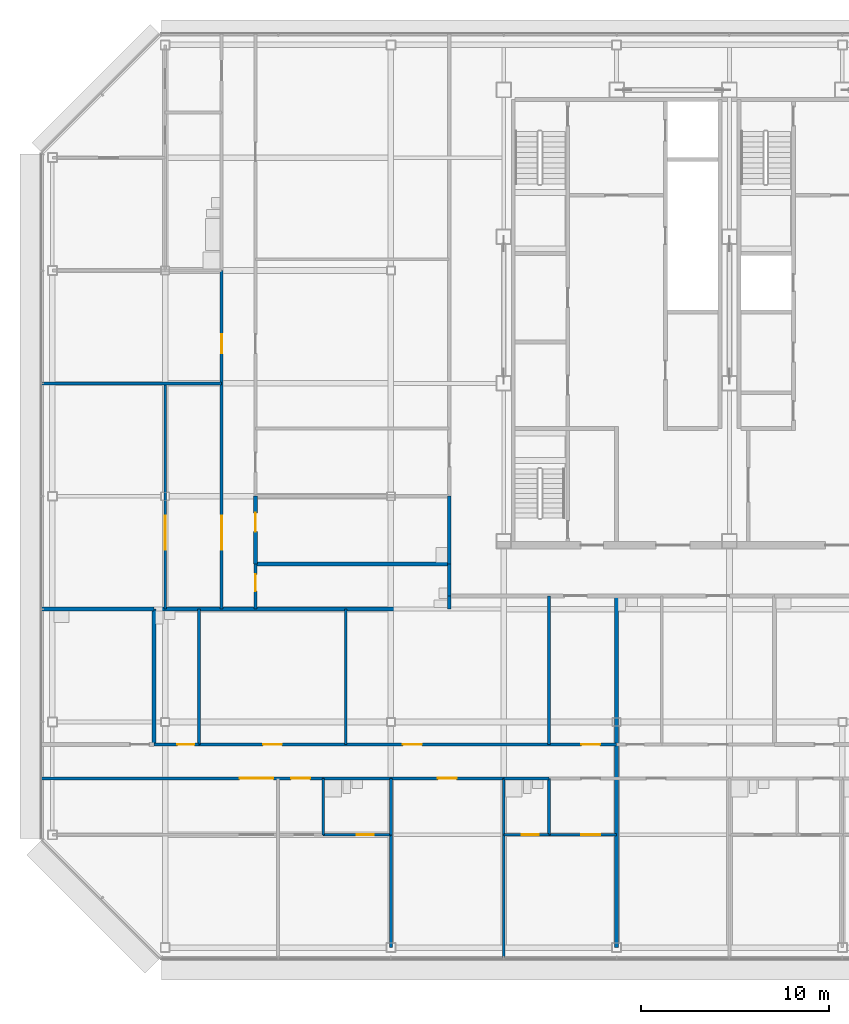
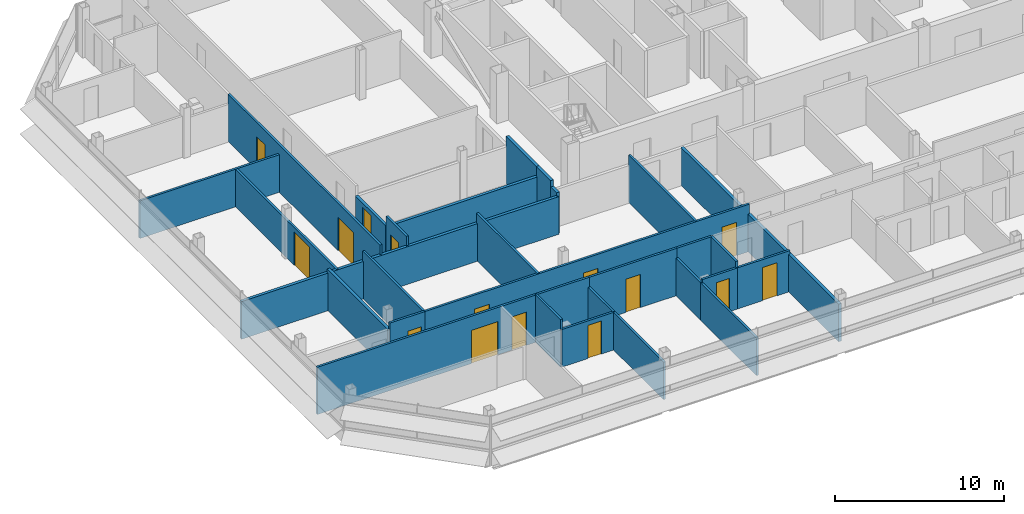
# One storey, part 21 of 28: 31 walls, 15 doors, 15 openings.
"""IFC4 building model written with IfcOpenShell, lengths in metres."""

from ifc_helpers import new_model, si_unit, direction, frame, frame_2d, origin, place, context, subcontext, project, spatial, rectangle, extrude, material, layer, layer_set, type_object, element, fill, save


model = new_model("IFC4")

# Units and contexts
model_context = context("Model", 3, precision=1e-05, world=origin(), true_north=direction((0.0, 1.0)))
body_context = subcontext(model_context, "Body", "Model", "MODEL_VIEW")
ifc_project = project(units=[si_unit("LENGTHUNIT", "METRE"), si_unit("AREAUNIT", "SQUARE_METRE"), si_unit("VOLUMEUNIT", "CUBIC_METRE"), si_unit("PLANEANGLEUNIT", "RADIAN"), si_unit("MASSUNIT", "GRAM", prefix="KILO")], contexts=[model_context])

# Site, building, storey
site_placement = place(None, origin())
site = spatial("IfcSite", under=ifc_project, at=site_placement, CompositionType="ELEMENT")
building_placement = place(site_placement, origin())
building = spatial("IfcBuilding", under=site, at=building_placement, Name="Sorahane Residences", CompositionType="ELEMENT")
storey_placement = place(building_placement, frame((0.0, 0.0, 305.199951171875)))
storey = spatial("IfcBuildingStorey", under=building, at=storey_placement, Name="L72", CompositionType="ELEMENT", Elevation=305.199951171875)

# Walls
ifc_material_1 = material(Name="Concrete blockwork C20 wall", Category="masonry")
ifc_layer_1 = layer(ifc_material_1, 0.199951171875)
ifc_layer_set_1 = layer_set([ifc_layer_1], Name="Corridor wall 200 EI 120")
wall_type_1 = type_object("IfcWallType", Name="Corridor wall 200 EI 120", PredefinedType="SOLIDWALL", material=ifc_layer_set_1)
wall_1_placement = place(storey_placement, frame((3.10009765625, 18.699951171875, 0.0), z_axis=(0.0, 0.0, 1.0), x_axis=(0.0, 1.0, 0.0)))
element("IfcWall", 1, at=wall_1_placement, inside=storey, type_object=wall_type_1, Name="L72 corridor wall", PredefinedType="SOLIDWALL", context=body_context, shape_type="SweptSolid", body=[
    extrude(rectangle(XDim=1.699951171875, YDim=0.199951171875, at=frame_2d((0.85009765625, 0.0))), origin(), (0.0, 0.0, 1.0), 3.420166015625),
])
ifc_material_2 = material(Name="Concrete blockwork C20 wall", Category="masonry")
ifc_layer_2 = layer(ifc_material_2, 0.199951171875)
ifc_layer_set_2 = layer_set([ifc_layer_2], Name="Kitchen wall 200 EI 180")
wall_type_2 = type_object("IfcWallType", Name="Kitchen wall 200 EI 180", PredefinedType="SOLIDWALL", material=ifc_layer_set_2)
wall_2_placement = place(storey_placement, frame((-12.60009765625, 10.800048828125, 0.0), z_axis=(0.0, 0.0, 1.0), x_axis=(0.0, 1.0, 0.0)))
element("IfcWall", 2, at=wall_2_placement, inside=storey, type_object=wall_type_2, Name="L72 kitchen wall", PredefinedType="SOLIDWALL", context=body_context, shape_type="SweptSolid", body=[
    extrude(rectangle(XDim=7.199951171875, YDim=0.199951171875, at=frame_2d((3.60009765625, 0.0))), origin(), (0.0, 0.0, 1.0), 2.969970703125),
])

# Wall, opening, door
wall_3_placement = place(storey_placement, frame((-7.199951171875, 20.39990234375, 0.0), z_axis=(0.0, 0.0, 1.0), x_axis=(0.0, 1.0, 0.0)))
wall_3 = element("IfcWall", 3, at=wall_3_placement, inside=storey, type_object=wall_type_2, Name="L72 kitchen wall", PredefinedType="SOLIDWALL", context=body_context, shape_type="SweptSolid", body=[
    extrude(rectangle(XDim=3.60009765625, YDim=0.199951171875, at=frame_2d((1.800048828125, 0.0))), origin(), (0.0, 0.0, 1.0), 2.719970703125),
])
opening_1_placement = place(wall_3_placement, frame((1.719970703125, 0.0, 0.0)))
opening_1 = element("IfcOpeningElement", 4, at=opening_1_placement, cuts=wall_3, Name="Opening L72-34", PredefinedType="OPENING", context=body_context, shape_type="SweptSolid", body=[
    extrude(rectangle(XDim=1.0, YDim=2.39990234375, at=frame_2d((0.5, 1.199951171875))), frame((0.0, 0.10986328125, 0.0), z_axis=(0.0, -1.0, 0.0), x_axis=(1.0, 0.0, 0.0)), (0.0, 0.0, 1.0), 0.219970703125),
])
ifc_material_3 = material(Name="Steel", Category="steel")
door_type_1 = type_object("IfcDoorType", Name="Kitchen door 1000x2400 FD120", OperationType="NOTDEFINED", PredefinedType="DOOR", material=ifc_material_3)
door_1_placement = place(opening_1_placement, frame((1.0, 0.0, 0.0), z_axis=(0.0, 0.0, 1.0), x_axis=(-1.0, 0.0, 0.0)))
door_1 = element("IfcDoor", 5, at=door_1_placement, inside=storey, type_object=door_type_1, Name="Kitchen door L72-34", OperationType="SINGLE_SWING_LEFT", OverallHeight=2.39990234375, OverallWidth=1.0, PredefinedType="DOOR", context=body_context, shape_type="SweptSolid", body=[
    extrude(rectangle(XDim=1.0, YDim=2.39990234375, at=frame_2d((0.5, 1.199951171875))), frame((0.0, 0.02490234375, 0.0), z_axis=(0.0, -1.0, 0.0), x_axis=(1.0, 0.0, 0.0)), (0.0, 0.0, 1.0), 0.050048828125),
])
fill(opening_1, door_1)

# Walls
wall_4_placement = place(storey_placement, frame((3.10009765625, 20.39990234375, 0.0), z_axis=(0.0, 0.0, 1.0), x_axis=(0.0, 1.0, 0.0)))
element("IfcWall", 6, at=wall_4_placement, inside=storey, type_object=wall_type_2, Name="L72 kitchen wall", PredefinedType="SOLIDWALL", context=body_context, shape_type="SweptSolid", body=[
    extrude(rectangle(XDim=3.60009765625, YDim=0.199951171875, at=frame_2d((1.800048828125, 0.0))), origin(), (0.0, 0.0, 1.0), 3.420166015625),
])
wall_5_placement = place(storey_placement, frame((-18.60009765625, 18.0, 0.0), z_axis=(0.0, 0.0, 1.0), x_axis=(1.0, 0.0, 0.0)))
element("IfcWall", 7, at=wall_5_placement, inside=storey, type_object=wall_type_2, Name="L72 kitchen wall", PredefinedType="SOLIDWALL", context=body_context, shape_type="SweptSolid", body=[
    extrude(rectangle(XDim=6.0, YDim=0.199951171875, at=frame_2d((3.0, 0.0))), origin(), (0.0, 0.0, 1.0), 2.719970703125),
])
wall_6_placement = place(storey_placement, frame((-7.199951171875, 20.39990234375, 0.0), z_axis=(0.0, 0.0, 1.0), x_axis=(1.0, 0.0, 0.0)))
element("IfcWall", 8, at=wall_6_placement, inside=storey, type_object=wall_type_2, Name="L72 kitchen wall", PredefinedType="SOLIDWALL", context=body_context, shape_type="SweptSolid", body=[
    extrude(rectangle(XDim=10.300048828125, YDim=0.199951171875, at=frame_2d((5.14990234375, 0.0))), origin(), (0.0, 0.0, 1.0), 2.719970703125),
])

# Wall, opening, door
ifc_material_4 = material(Name="Gypsum board partition on steel studs", Category="steel")
ifc_layer_3 = layer(ifc_material_4, 0.14990234375)
ifc_layer_set_3 = layer_set([ifc_layer_3], Name="Partition 150 EI 90")
wall_type_3 = type_object("IfcWallType", Name="Partition 150 EI 90", PredefinedType="PARTITIONING", material=ifc_layer_set_3)
wall_7_placement = place(storey_placement, frame((-12.0, 18.0, 0.0), z_axis=(0.0, 0.0, 1.0), x_axis=(0.0, 1.0, 0.0)))
wall_7 = element("IfcWall", 9, at=wall_7_placement, inside=storey, type_object=wall_type_3, Name="L72 partition", PredefinedType="PARTITIONING", context=body_context, shape_type="SweptSolid", body=[
    extrude(rectangle(XDim=12.0, YDim=0.14990234375, at=frame_2d((6.0, 0.0))), origin(), (0.0, 0.0, 1.0), 2.719970703125),
])
opening_2_placement = place(wall_7_placement, frame((3.159912109375, 0.0, 0.0)))
opening_2 = element("IfcOpeningElement", 10, at=opening_2_placement, cuts=wall_7, Name="Opening L72-40", PredefinedType="OPENING", context=body_context, shape_type="SweptSolid", body=[
    extrude(rectangle(XDim=1.800048828125, YDim=2.39990234375, at=frame_2d((0.89990234375, 1.199951171875))), frame((0.0, 0.0849609375, 0.0), z_axis=(0.0, -1.0, 0.0), x_axis=(1.0, 0.0, 0.0)), (0.0, 0.0, 1.0), 0.169921875),
])
ifc_material_5 = material(Name="Timber veneered fire door", Category="wood")
door_type_2 = type_object("IfcDoorType", Name="Double door 1800x2400 FD30", OperationType="NOTDEFINED", PredefinedType="DOOR", material=ifc_material_5)
door_2_placement = place(opening_2_placement, origin())
door_2 = element("IfcDoor", 11, at=door_2_placement, inside=storey, type_object=door_type_2, Name="Double door L72-40", OperationType="SINGLE_SWING_RIGHT", OverallHeight=2.39990234375, OverallWidth=1.800048828125, PredefinedType="DOOR", context=body_context, shape_type="SweptSolid", body=[
    extrude(rectangle(XDim=1.800048828125, YDim=2.39990234375, at=frame_2d((0.89990234375, 1.199951171875))), frame((0.0, 0.02490234375, 0.0), z_axis=(0.0, -1.0, 0.0), x_axis=(1.0, 0.0, 0.0)), (0.0, 0.0, 1.0), 0.050048828125),
])
fill(opening_2, door_2)

# Wall
wall_8_placement = place(storey_placement, frame((-2.39990234375, 10.800048828125, 0.0), z_axis=(0.0, 0.0, 1.0), x_axis=(0.0, 1.0, 0.0)))
element("IfcWall", 12, at=wall_8_placement, inside=storey, type_object=wall_type_3, Name="L72 partition", PredefinedType="PARTITIONING", context=body_context, shape_type="SweptSolid", body=[
    extrude(rectangle(XDim=7.199951171875, YDim=0.14990234375, at=frame_2d((3.60009765625, 0.0))), origin(), (0.0, 0.0, 1.0), 3.420166015625),
])

# Wall, openings, doors
wall_9_placement = place(storey_placement, frame((-9.0, 18.0, 0.0), z_axis=(0.0, 0.0, 1.0), x_axis=(0.0, 1.0, 0.0)))
wall_9 = element("IfcWall", 13, at=wall_9_placement, inside=storey, type_object=wall_type_3, Name="L72 partition", PredefinedType="PARTITIONING", context=body_context, shape_type="SweptSolid", body=[
    extrude(rectangle(XDim=18.0, YDim=0.14990234375, at=frame_2d((9.0, 0.0))), origin(), (0.0, 0.0, 1.0), 3.420166015625),
])
opening_3_placement = place(wall_9_placement, frame((3.159912109375, 0.0, 0.0)))
opening_3 = element("IfcOpeningElement", 14, at=opening_3_placement, cuts=wall_9, Name="Opening L72-37", PredefinedType="OPENING", context=body_context, shape_type="SweptSolid", body=[
    extrude(rectangle(XDim=1.800048828125, YDim=2.39990234375, at=frame_2d((0.89990234375, 1.199951171875))), frame((0.0, 0.0849609375, 0.0), z_axis=(0.0, -1.0, 0.0), x_axis=(1.0, 0.0, 0.0)), (0.0, 0.0, 1.0), 0.169921875),
])
opening_4_placement = place(wall_9_placement, frame((13.60009765625, 0.0, 0.0)))
opening_4 = element("IfcOpeningElement", 15, at=opening_4_placement, cuts=wall_9, Name="Opening L72-38", PredefinedType="OPENING", context=body_context, shape_type="SweptSolid", body=[
    extrude(rectangle(XDim=1.0, YDim=2.39990234375, at=frame_2d((0.5, 1.199951171875))), frame((0.0, 0.0849609375, 0.0), z_axis=(0.0, -1.0, 0.0), x_axis=(1.0, 0.0, 0.0)), (0.0, 0.0, 1.0), 0.169921875),
])
door_3_placement = place(opening_3_placement, origin())
door_3 = element("IfcDoor", 16, at=door_3_placement, inside=storey, type_object=door_type_2, Name="Double door L72-37", OperationType="SINGLE_SWING_RIGHT", OverallHeight=2.39990234375, OverallWidth=1.800048828125, PredefinedType="DOOR", context=body_context, shape_type="SweptSolid", body=[
    extrude(rectangle(XDim=1.800048828125, YDim=2.39990234375, at=frame_2d((0.89990234375, 1.199951171875))), frame((0.0, 0.02490234375, 0.0), z_axis=(0.0, -1.0, 0.0), x_axis=(1.0, 0.0, 0.0)), (0.0, 0.0, 1.0), 0.050048828125),
])
fill(opening_3, door_3)
ifc_material_6 = material(Name="Timber veneered fire door", Category="wood")
door_type_3 = type_object("IfcDoorType", Name="Room door 1000x2400 FD30", OperationType="NOTDEFINED", PredefinedType="DOOR", material=ifc_material_6)
door_4_placement = place(opening_4_placement, origin())
door_4 = element("IfcDoor", 17, at=door_4_placement, inside=storey, type_object=door_type_3, Name="Room door L72-38", OperationType="SINGLE_SWING_LEFT", OverallHeight=2.39990234375, OverallWidth=1.0, PredefinedType="DOOR", context=body_context, shape_type="SweptSolid", body=[
    extrude(rectangle(XDim=1.0, YDim=2.39990234375, at=frame_2d((0.5, 1.199951171875))), frame((0.0, 0.02490234375, 0.0), z_axis=(0.0, -1.0, 0.0), x_axis=(1.0, 0.0, 0.0)), (0.0, 0.0, 1.0), 0.050048828125),
])
fill(opening_4, door_4)

# Walls
wall_10_placement = place(storey_placement, frame((0.0, 0.0, 0.0), z_axis=(0.0, 0.0, 1.0), x_axis=(0.0, 1.0, 0.0)))
element("IfcWall", 18, at=wall_10_placement, inside=storey, type_object=wall_type_3, Name="L72 partition", PredefinedType="PARTITIONING", context=body_context, shape_type="SweptSolid", body=[
    extrude(rectangle(XDim=6.0, YDim=0.14990234375, at=frame_2d((3.0, 0.0))), origin(), (0.0, 0.0, 1.0), 2.719970703125),
])
wall_11_placement = place(storey_placement, frame((6.0, -0.60009765625, 0.0), z_axis=(0.0, 0.0, 1.0), x_axis=(0.0, 1.0, 0.0)))
element("IfcWall", 19, at=wall_11_placement, inside=storey, type_object=wall_type_3, Name="L72 partition", PredefinedType="PARTITIONING", context=body_context, shape_type="SweptSolid", body=[
    extrude(rectangle(XDim=6.60009765625, YDim=0.14990234375, at=frame_2d((3.300048828125, 0.0))), origin(), (0.0, 0.0, 1.0), 2.719970703125),
])
wall_12_placement = place(storey_placement, frame((8.39990234375, 10.800048828125, 0.0), z_axis=(0.0, 0.0, 1.0), x_axis=(0.0, 1.0, 0.0)))
element("IfcWall", 20, at=wall_12_placement, inside=storey, type_object=wall_type_3, Name="L72 partition", PredefinedType="PARTITIONING", context=body_context, shape_type="SweptSolid", body=[
    extrude(rectangle(XDim=7.89990234375, YDim=0.14990234375, at=frame_2d((3.949951171875, 0.0))), origin(), (0.0, 0.0, 1.0), 3.420166015625),
])

# Wall, openings, doors
wall_13_placement = place(storey_placement, frame((-10.199951171875, 10.800048828125, 0.0), z_axis=(0.0, 0.0, 1.0), x_axis=(1.0, 0.0, 0.0)))
wall_13 = element("IfcWall", 21, at=wall_13_placement, inside=storey, type_object=wall_type_3, Name="L72 partition", PredefinedType="PARTITIONING", context=body_context, shape_type="SweptSolid", body=[
    extrude(rectangle(XDim=22.199951171875, YDim=0.14990234375, at=frame_2d((11.10009765625, 0.0))), origin(), (0.0, 0.0, 1.0), 3.420166015625),
])
opening_5_placement = place(wall_13_placement, frame((20.320068359375, 0.0, 0.0)))
opening_5 = element("IfcOpeningElement", 22, at=opening_5_placement, cuts=wall_13, Name="Opening L72-01", PredefinedType="OPENING", context=body_context, shape_type="SweptSolid", body=[
    extrude(rectangle(XDim=1.0, YDim=2.39990234375, at=frame_2d((0.5, 1.199951171875))), frame((0.0, 0.0849609375, 0.0), z_axis=(0.0, -1.0, 0.0), x_axis=(1.0, 0.0, 0.0)), (0.0, 0.0, 1.0), 0.169921875),
])
opening_6_placement = place(wall_13_placement, frame((3.39990234375, 0.0, 0.0)))
opening_6 = element("IfcOpeningElement", 23, at=opening_6_placement, cuts=wall_13, Name="Opening L72-04", PredefinedType="OPENING", context=body_context, shape_type="SweptSolid", body=[
    extrude(rectangle(XDim=1.0, YDim=2.39990234375, at=frame_2d((0.5, 1.199951171875))), frame((0.0, 0.0849609375, 0.0), z_axis=(0.0, -1.0, 0.0), x_axis=(1.0, 0.0, 0.0)), (0.0, 0.0, 1.0), 0.169921875),
])
opening_7_placement = place(wall_13_placement, frame((10.840087890625, 0.0, 0.0)))
opening_7 = element("IfcOpeningElement", 24, at=opening_7_placement, cuts=wall_13, Name="Opening L72-05", PredefinedType="OPENING", context=body_context, shape_type="SweptSolid", body=[
    extrude(rectangle(XDim=1.0, YDim=2.39990234375, at=frame_2d((0.5, 1.199951171875))), frame((0.0, 0.0849609375, 0.0), z_axis=(0.0, -1.0, 0.0), x_axis=(1.0, 0.0, 0.0)), (0.0, 0.0, 1.0), 0.169921875),
])
door_5_placement = place(opening_5_placement, frame((1.0, 0.0, 0.0), z_axis=(0.0, 0.0, 1.0), x_axis=(-1.0, 0.0, 0.0)))
door_5 = element("IfcDoor", 25, at=door_5_placement, inside=storey, type_object=door_type_3, Name="Room door L72-01", OperationType="SINGLE_SWING_LEFT", OverallHeight=2.39990234375, OverallWidth=1.0, PredefinedType="DOOR", context=body_context, shape_type="SweptSolid", body=[
    extrude(rectangle(XDim=1.0, YDim=2.39990234375, at=frame_2d((0.5, 1.199951171875))), frame((0.0, 0.02490234375, 0.0), z_axis=(0.0, -1.0, 0.0), x_axis=(1.0, 0.0, 0.0)), (0.0, 0.0, 1.0), 0.050048828125),
])
fill(opening_5, door_5)
door_6_placement = place(opening_6_placement, origin())
door_6 = element("IfcDoor", 26, at=door_6_placement, inside=storey, type_object=door_type_3, Name="Room door L72-04", OperationType="SINGLE_SWING_LEFT", OverallHeight=2.39990234375, OverallWidth=1.0, PredefinedType="DOOR", context=body_context, shape_type="SweptSolid", body=[
    extrude(rectangle(XDim=1.0, YDim=2.39990234375, at=frame_2d((0.5, 1.199951171875))), frame((0.0, 0.02490234375, 0.0), z_axis=(0.0, -1.0, 0.0), x_axis=(1.0, 0.0, 0.0)), (0.0, 0.0, 1.0), 0.050048828125),
])
fill(opening_6, door_6)
door_7_placement = place(opening_7_placement, origin())
door_7 = element("IfcDoor", 27, at=door_7_placement, inside=storey, type_object=door_type_3, Name="Room door L72-05", OperationType="SINGLE_SWING_LEFT", OverallHeight=2.39990234375, OverallWidth=1.0, PredefinedType="DOOR", context=body_context, shape_type="SweptSolid", body=[
    extrude(rectangle(XDim=1.0, YDim=2.39990234375, at=frame_2d((0.5, 1.199951171875))), frame((0.0, 0.02490234375, 0.0), z_axis=(0.0, -1.0, 0.0), x_axis=(1.0, 0.0, 0.0)), (0.0, 0.0, 1.0), 0.050048828125),
])
fill(opening_7, door_7)

# Wall
wall_14_placement = place(storey_placement, frame((-18.60009765625, 30.0, 0.0), z_axis=(0.0, 0.0, 1.0), x_axis=(1.0, 0.0, 0.0)))
element("IfcWall", 28, at=wall_14_placement, inside=storey, type_object=wall_type_3, Name="L72 partition", PredefinedType="PARTITIONING", context=body_context, shape_type="SweptSolid", body=[
    extrude(rectangle(XDim=9.60009765625, YDim=0.14990234375, at=frame_2d((4.800048828125, 0.0))), origin(), (0.0, 0.0, 1.0), 2.719970703125),
])

# Wall, opening, door
wall_15_placement = place(storey_placement, frame((8.39990234375, 6.0, 0.0), z_axis=(0.0, 0.0, 1.0), x_axis=(1.0, 0.0, 0.0)))
wall_15 = element("IfcWall", 29, at=wall_15_placement, inside=storey, type_object=wall_type_3, Name="L72 partition", PredefinedType="PARTITIONING", context=body_context, shape_type="SweptSolid", body=[
    extrude(rectangle(XDim=3.60009765625, YDim=0.14990234375, at=frame_2d((1.800048828125, 0.0))), origin(), (0.0, 0.0, 1.0), 2.969970703125),
])
opening_8_placement = place(wall_15_placement, frame((1.719970703125, 0.0, 0.0)))
opening_8 = element("IfcOpeningElement", 30, at=opening_8_placement, cuts=wall_15, Name="Opening L72-13", PredefinedType="OPENING", context=body_context, shape_type="SweptSolid", body=[
    extrude(rectangle(XDim=1.0, YDim=2.39990234375, at=frame_2d((0.5, 1.199951171875))), frame((0.0, 0.0849609375, 0.0), z_axis=(0.0, -1.0, 0.0), x_axis=(1.0, 0.0, 0.0)), (0.0, 0.0, 1.0), 0.169921875),
])
door_8_placement = place(opening_8_placement, frame((1.0, 0.0, 0.0), z_axis=(0.0, 0.0, 1.0), x_axis=(-1.0, 0.0, 0.0)))
door_8 = element("IfcDoor", 31, at=door_8_placement, inside=storey, type_object=door_type_3, Name="Room door L72-13", OperationType="SINGLE_SWING_RIGHT", OverallHeight=2.39990234375, OverallWidth=1.0, PredefinedType="DOOR", context=body_context, shape_type="SweptSolid", body=[
    extrude(rectangle(XDim=1.0, YDim=2.39990234375, at=frame_2d((0.5, 1.199951171875))), frame((0.0, 0.02490234375, 0.0), z_axis=(0.0, -1.0, 0.0), x_axis=(1.0, 0.0, 0.0)), (0.0, 0.0, 1.0), 0.050048828125),
])
fill(opening_8, door_8)

# Wall, openings, doors
wall_16_placement = place(storey_placement, frame((-18.60009765625, 9.0, 0.0), z_axis=(0.0, 0.0, 1.0), x_axis=(1.0, 0.0, 0.0)))
wall_16 = element("IfcWall", 32, at=wall_16_placement, inside=storey, type_object=wall_type_3, Name="L72 partition", PredefinedType="PARTITIONING", context=body_context, shape_type="SweptSolid", body=[
    extrude(rectangle(XDim=15.0, YDim=0.14990234375, at=frame_2d((7.5, 0.0))), origin(), (0.0, 0.0, 1.0), 3.420166015625),
])
opening_9_placement = place(wall_16_placement, frame((10.550048828125, 0.0, 0.0)))
opening_9 = element("IfcOpeningElement", 33, at=opening_9_placement, cuts=wall_16, Name="Opening L72-06", PredefinedType="OPENING", context=body_context, shape_type="SweptSolid", body=[
    extrude(rectangle(XDim=1.800048828125, YDim=2.39990234375, at=frame_2d((0.89990234375, 1.199951171875))), frame((0.0, 0.0849609375, 0.0), z_axis=(0.0, -1.0, 0.0), x_axis=(1.0, 0.0, 0.0)), (0.0, 0.0, 1.0), 0.169921875),
])
opening_10_placement = place(wall_16_placement, frame((13.300048828125, 0.0, 0.0)))
opening_10 = element("IfcOpeningElement", 34, at=opening_10_placement, cuts=wall_16, Name="Opening L72-07", PredefinedType="OPENING", context=body_context, shape_type="SweptSolid", body=[
    extrude(rectangle(XDim=1.0, YDim=2.39990234375, at=frame_2d((0.5, 1.199951171875))), frame((0.0, 0.0849609375, 0.0), z_axis=(0.0, -1.0, 0.0), x_axis=(1.0, 0.0, 0.0)), (0.0, 0.0, 1.0), 0.169921875),
])
door_9_placement = place(opening_9_placement, frame((1.800048828125, 0.0, 0.0), z_axis=(0.0, 0.0, 1.0), x_axis=(-1.0, 0.0, 0.0)))
door_9 = element("IfcDoor", 35, at=door_9_placement, inside=storey, type_object=door_type_2, Name="Double door L72-06", OperationType="SINGLE_SWING_LEFT", OverallHeight=2.39990234375, OverallWidth=1.800048828125, PredefinedType="DOOR", context=body_context, shape_type="SweptSolid", body=[
    extrude(rectangle(XDim=1.800048828125, YDim=2.39990234375, at=frame_2d((0.89990234375, 1.199951171875))), frame((0.0, 0.02490234375, 0.0), z_axis=(0.0, -1.0, 0.0), x_axis=(1.0, 0.0, 0.0)), (0.0, 0.0, 1.0), 0.050048828125),
])
fill(opening_9, door_9)
door_10_placement = place(opening_10_placement, frame((1.0, 0.0, 0.0), z_axis=(0.0, 0.0, 1.0), x_axis=(-1.0, 0.0, 0.0)))
door_10 = element("IfcDoor", 36, at=door_10_placement, inside=storey, type_object=door_type_3, Name="Room door L72-07", OperationType="SINGLE_SWING_LEFT", OverallHeight=2.39990234375, OverallWidth=1.0, PredefinedType="DOOR", context=body_context, shape_type="SweptSolid", body=[
    extrude(rectangle(XDim=1.0, YDim=2.39990234375, at=frame_2d((0.5, 1.199951171875))), frame((0.0, 0.02490234375, 0.0), z_axis=(0.0, -1.0, 0.0), x_axis=(1.0, 0.0, 0.0)), (0.0, 0.0, 1.0), 0.050048828125),
])
fill(opening_10, door_10)

# Wall, opening, door
wall_17_placement = place(storey_placement, frame((0.0, 9.0, 0.0), z_axis=(0.0, 0.0, 1.0), x_axis=(1.0, 0.0, 0.0)))
wall_17 = element("IfcWall", 37, at=wall_17_placement, inside=storey, type_object=wall_type_3, Name="L72 partition", PredefinedType="PARTITIONING", context=body_context, shape_type="SweptSolid", body=[
    extrude(rectangle(XDim=6.0, YDim=0.14990234375, at=frame_2d((3.0, 0.0))), origin(), (0.0, 0.0, 1.0), 3.420166015625),
])
opening_11_placement = place(wall_17_placement, frame((2.5, 0.0, 0.0)))
opening_11 = element("IfcOpeningElement", 38, at=opening_11_placement, cuts=wall_17, Name="Opening L72-08", PredefinedType="OPENING", context=body_context, shape_type="SweptSolid", body=[
    extrude(rectangle(XDim=1.0, YDim=2.39990234375, at=frame_2d((0.5, 1.199951171875))), frame((0.0, 0.0849609375, 0.0), z_axis=(0.0, -1.0, 0.0), x_axis=(1.0, 0.0, 0.0)), (0.0, 0.0, 1.0), 0.169921875),
])
door_11_placement = place(opening_11_placement, frame((1.0, 0.0, 0.0), z_axis=(0.0, 0.0, 1.0), x_axis=(-1.0, 0.0, 0.0)))
door_11 = element("IfcDoor", 39, at=door_11_placement, inside=storey, type_object=door_type_3, Name="Room door L72-08", OperationType="SINGLE_SWING_RIGHT", OverallHeight=2.39990234375, OverallWidth=1.0, PredefinedType="DOOR", context=body_context, shape_type="SweptSolid", body=[
    extrude(rectangle(XDim=1.0, YDim=2.39990234375, at=frame_2d((0.5, 1.199951171875))), frame((0.0, 0.02490234375, 0.0), z_axis=(0.0, -1.0, 0.0), x_axis=(1.0, 0.0, 0.0)), (0.0, 0.0, 1.0), 0.050048828125),
])
fill(opening_11, door_11)

# Walls
ifc_material_7 = material(Name="Concrete blockwork C20 wall", Category="masonry")
ifc_layer_4 = layer(ifc_material_7, 0.199951171875)
ifc_layer_set_4 = layer_set([ifc_layer_4], Name="Party wall 200 EI 120")
wall_type_4 = type_object("IfcWallType", Name="Party wall 200 EI 120", PredefinedType="SOLIDWALL", material=ifc_layer_set_4)
wall_18_placement = place(storey_placement, frame((12.0, 0.0, 0.0), z_axis=(0.0, 0.0, 1.0), x_axis=(0.0, 1.0, 0.0)))
element("IfcWall", 40, at=wall_18_placement, inside=storey, type_object=wall_type_4, Name="L72 party wall", PredefinedType="SOLIDWALL", context=body_context, shape_type="SweptSolid", body=[
    extrude(rectangle(XDim=18.699951171875, YDim=0.199951171875, at=frame_2d((9.35009765625, 0.0))), origin(), (0.0, 0.0, 1.0), 2.719970703125),
])
wall_19_placement = place(storey_placement, frame((3.10009765625, 18.0, 0.0), z_axis=(0.0, 0.0, 1.0), x_axis=(0.0, 1.0, 0.0)))
element("IfcWall", 41, at=wall_19_placement, inside=storey, type_object=wall_type_4, Name="L72 party wall", PredefinedType="SOLIDWALL", context=body_context, shape_type="SweptSolid", body=[
    extrude(rectangle(XDim=0.699951171875, YDim=0.199951171875, at=frame_2d((0.35009765625, 0.0))), origin(), (0.0, 0.0, 1.0), 2.969970703125),
])
wall_20_placement = place(storey_placement, frame((-12.60009765625, 18.0, 0.0), z_axis=(0.0, 0.0, 1.0), x_axis=(1.0, 0.0, 0.0)))
element("IfcWall", 42, at=wall_20_placement, inside=storey, type_object=wall_type_4, Name="L72 party wall", PredefinedType="SOLIDWALL", context=body_context, shape_type="SweptSolid", body=[
    extrude(rectangle(XDim=15.7001953125, YDim=0.199951171875, at=frame_2d((7.85009765625, 0.0))), origin(), (0.0, 0.0, 1.0), 2.719970703125),
])
ifc_material_8 = material(Name="Gypsum board partition on steel studs", Category="steel")
ifc_layer_5 = layer(ifc_material_8, 0.14990234375)
ifc_layer_set_5 = layer_set([ifc_layer_5], Name="Wet wall 150 EI 90")
wall_type_5 = type_object("IfcWallType", Name="Wet wall 150 EI 90", PredefinedType="PARTITIONING", material=ifc_layer_set_5)
wall_21_placement = place(storey_placement, frame((-10.199951171875, 10.800048828125, 0.0), z_axis=(0.0, 0.0, 1.0), x_axis=(0.0, 1.0, 0.0)))
element("IfcWall", 43, at=wall_21_placement, inside=storey, type_object=wall_type_5, Name="L72 wet wall", PredefinedType="PARTITIONING", context=body_context, shape_type="SweptSolid", body=[
    extrude(rectangle(XDim=7.199951171875, YDim=0.14990234375, at=frame_2d((3.60009765625, 0.0))), origin(), (0.0, 0.0, 1.0), 3.420166015625),
])
wall_22_placement = place(storey_placement, frame((-3.60009765625, 6.0, 0.0), z_axis=(0.0, 0.0, 1.0), x_axis=(0.0, 1.0, 0.0)))
element("IfcWall", 44, at=wall_22_placement, inside=storey, type_object=wall_type_5, Name="L72 wet wall", PredefinedType="PARTITIONING", context=body_context, shape_type="SweptSolid", body=[
    extrude(rectangle(XDim=3.0, YDim=0.14990234375, at=frame_2d((1.5, 0.0))), origin(), (0.0, 0.0, 1.0), 3.420166015625),
])

# Wall, opening, door
wall_23_placement = place(storey_placement, frame((-7.199951171875, 18.0, 0.0), z_axis=(0.0, 0.0, 1.0), x_axis=(0.0, 1.0, 0.0)))
wall_23 = element("IfcWall", 45, at=wall_23_placement, inside=storey, type_object=wall_type_5, Name="L72 wet wall", PredefinedType="PARTITIONING", context=body_context, shape_type="SweptSolid", body=[
    extrude(rectangle(XDim=2.39990234375, YDim=0.14990234375, at=frame_2d((1.199951171875, 0.0))), origin(), (0.0, 0.0, 1.0), 3.420166015625),
])
opening_12_placement = place(wall_23_placement, frame((0.949951171875, 0.0, 0.0)))
opening_12 = element("IfcOpeningElement", 46, at=opening_12_placement, cuts=wall_23, Name="Opening L72-33", PredefinedType="OPENING", context=body_context, shape_type="SweptSolid", body=[
    extrude(rectangle(XDim=0.89990234375, YDim=2.39990234375, at=frame_2d((0.449951171875, 1.199951171875))), frame((0.0, 0.0849609375, 0.0), z_axis=(0.0, -1.0, 0.0), x_axis=(1.0, 0.0, 0.0)), (0.0, 0.0, 1.0), 0.169921875),
])
ifc_material_9 = material(Name="Timber veneered fire door", Category="wood")
door_type_4 = type_object("IfcDoorType", Name="Bathroom door 900x2400 FD30", OperationType="NOTDEFINED", PredefinedType="DOOR", material=ifc_material_9)
door_12_placement = place(opening_12_placement, origin())
door_12 = element("IfcDoor", 47, at=door_12_placement, inside=storey, type_object=door_type_4, Name="Bathroom door L72-33", OperationType="SINGLE_SWING_LEFT", OverallHeight=2.39990234375, OverallWidth=0.89990234375, PredefinedType="DOOR", context=body_context, shape_type="SweptSolid", body=[
    extrude(rectangle(XDim=0.89990234375, YDim=2.39990234375, at=frame_2d((0.449951171875, 1.199951171875))), frame((0.0, 0.02490234375, 0.0), z_axis=(0.0, -1.0, 0.0), x_axis=(1.0, 0.0, 0.0)), (0.0, 0.0, 1.0), 0.050048828125),
])
fill(opening_12, door_12)

# Walls
for number, where, z_axis, x_axis, name in (
    (48, (0.0, 6.0, 0.0), (0.0, 0.0, 1.0), (0.0, 1.0, 0.0), "L72 wet wall"),
    (49, (6.0, 6.0, 0.0), (0.0, 0.0, 1.0), (0.0, 1.0, 0.0), "L72 wet wall"),
):
    element("IfcWall", number, at=place(storey_placement, frame(where, z_axis=z_axis, x_axis=x_axis)), inside=storey, type_object=wall_type_5, Name=name, PredefinedType="PARTITIONING", context=body_context, shape_type="SweptSolid", body=[
        extrude(rectangle(XDim=3.0, YDim=0.14990234375, at=frame_2d((1.5, 0.0))), origin(), (0.0, 0.0, 1.0), 2.719970703125),
    ])
wall_24_placement = place(storey_placement, frame((8.39990234375, 6.0, 0.0), z_axis=(0.0, 0.0, 1.0), x_axis=(0.0, 1.0, 0.0)))
element("IfcWall", 50, at=wall_24_placement, inside=storey, type_object=wall_type_5, Name="L72 wet wall", PredefinedType="PARTITIONING", context=body_context, shape_type="SweptSolid", body=[
    extrude(rectangle(XDim=3.0, YDim=0.14990234375, at=frame_2d((1.5, 0.0))), origin(), (0.0, 0.0, 1.0), 3.420166015625),
])

# Wall, opening, door
wall_25_placement = place(storey_placement, frame((-12.60009765625, 10.800048828125, 0.0), z_axis=(0.0, 0.0, 1.0), x_axis=(1.0, 0.0, 0.0)))
wall_25 = element("IfcWall", 51, at=wall_25_placement, inside=storey, type_object=wall_type_5, Name="L72 wet wall", PredefinedType="PARTITIONING", context=body_context, shape_type="SweptSolid", body=[
    extrude(rectangle(XDim=2.400146484375, YDim=0.14990234375, at=frame_2d((1.2001953125, 0.0))), origin(), (0.0, 0.0, 1.0), 3.420166015625),
])
opening_13_placement = place(wall_25_placement, frame((1.25, 0.0, 0.0)))
opening_13 = element("IfcOpeningElement", 52, at=opening_13_placement, cuts=wall_25, Name="Opening L72-03", PredefinedType="OPENING", context=body_context, shape_type="SweptSolid", body=[
    extrude(rectangle(XDim=0.89990234375, YDim=2.39990234375, at=frame_2d((0.449951171875, 1.199951171875))), frame((0.0, 0.0849609375, 0.0), z_axis=(0.0, -1.0, 0.0), x_axis=(1.0, 0.0, 0.0)), (0.0, 0.0, 1.0), 0.169921875),
])
door_13_placement = place(opening_13_placement, frame((0.89990234375, 0.0, 0.0), z_axis=(0.0, 0.0, 1.0), x_axis=(-1.0, 0.0, 0.0)))
door_13 = element("IfcDoor", 53, at=door_13_placement, inside=storey, type_object=door_type_4, Name="Bathroom door L72-03", OperationType="SINGLE_SWING_RIGHT", OverallHeight=2.39990234375, OverallWidth=0.89990234375, PredefinedType="DOOR", context=body_context, shape_type="SweptSolid", body=[
    extrude(rectangle(XDim=0.89990234375, YDim=2.39990234375, at=frame_2d((0.449951171875, 1.199951171875))), frame((0.0, 0.02490234375, 0.0), z_axis=(0.0, -1.0, 0.0), x_axis=(1.0, 0.0, 0.0)), (0.0, 0.0, 1.0), 0.050048828125),
])
fill(opening_13, door_13)

wall_26_placement = place(storey_placement, frame((-3.60009765625, 6.0, 0.0), z_axis=(0.0, 0.0, 1.0), x_axis=(1.0, 0.0, 0.0)))
wall_26 = element("IfcWall", 54, at=wall_26_placement, inside=storey, type_object=wall_type_5, Name="L72 wet wall", PredefinedType="PARTITIONING", context=body_context, shape_type="SweptSolid", body=[
    extrude(rectangle(XDim=3.60009765625, YDim=0.14990234375, at=frame_2d((1.800048828125, 0.0))), origin(), (0.0, 0.0, 1.0), 2.719970703125),
])
opening_14_placement = place(wall_26_placement, frame((1.7900390625, 0.0, 0.0)))
opening_14 = element("IfcOpeningElement", 55, at=opening_14_placement, cuts=wall_26, Name="Opening L72-12", PredefinedType="OPENING", context=body_context, shape_type="SweptSolid", body=[
    extrude(rectangle(XDim=0.89990234375, YDim=2.39990234375, at=frame_2d((0.449951171875, 1.199951171875))), frame((0.0, 0.0849609375, 0.0), z_axis=(0.0, -1.0, 0.0), x_axis=(1.0, 0.0, 0.0)), (0.0, 0.0, 1.0), 0.169921875),
])
door_14_placement = place(opening_14_placement, frame((0.89990234375, 0.0, 0.0), z_axis=(0.0, 0.0, 1.0), x_axis=(-1.0, 0.0, 0.0)))
door_14 = element("IfcDoor", 56, at=door_14_placement, inside=storey, type_object=door_type_4, Name="Bathroom door L72-12", OperationType="SINGLE_SWING_LEFT", OverallHeight=2.39990234375, OverallWidth=0.89990234375, PredefinedType="DOOR", context=body_context, shape_type="SweptSolid", body=[
    extrude(rectangle(XDim=0.89990234375, YDim=2.39990234375, at=frame_2d((0.449951171875, 1.199951171875))), frame((0.0, 0.02490234375, 0.0), z_axis=(0.0, -1.0, 0.0), x_axis=(1.0, 0.0, 0.0)), (0.0, 0.0, 1.0), 0.050048828125),
])
fill(opening_14, door_14)

wall_27_placement = place(storey_placement, frame((6.0, 6.0, 0.0), z_axis=(0.0, 0.0, 1.0), x_axis=(1.0, 0.0, 0.0)))
wall_27 = element("IfcWall", 57, at=wall_27_placement, inside=storey, type_object=wall_type_5, Name="L72 wet wall", PredefinedType="PARTITIONING", context=body_context, shape_type="SweptSolid", body=[
    extrude(rectangle(XDim=2.39990234375, YDim=0.14990234375, at=frame_2d((1.199951171875, 0.0))), origin(), (0.0, 0.0, 1.0), 2.969970703125),
])
opening_15_placement = place(wall_27_placement, frame((0.949951171875, 0.0, 0.0)))
opening_15 = element("IfcOpeningElement", 58, at=opening_15_placement, cuts=wall_27, Name="Opening L72-14", PredefinedType="OPENING", context=body_context, shape_type="SweptSolid", body=[
    extrude(rectangle(XDim=0.89990234375, YDim=2.39990234375, at=frame_2d((0.449951171875, 1.199951171875))), frame((0.0, 0.0849609375, 0.0), z_axis=(0.0, -1.0, 0.0), x_axis=(1.0, 0.0, 0.0)), (0.0, 0.0, 1.0), 0.169921875),
])
door_15_placement = place(opening_15_placement, frame((0.89990234375, 0.0, 0.0), z_axis=(0.0, 0.0, 1.0), x_axis=(-1.0, 0.0, 0.0)))
door_15 = element("IfcDoor", 59, at=door_15_placement, inside=storey, type_object=door_type_4, Name="Bathroom door L72-14", OperationType="SINGLE_SWING_RIGHT", OverallHeight=2.39990234375, OverallWidth=0.89990234375, PredefinedType="DOOR", context=body_context, shape_type="SweptSolid", body=[
    extrude(rectangle(XDim=0.89990234375, YDim=2.39990234375, at=frame_2d((0.449951171875, 1.199951171875))), frame((0.0, 0.02490234375, 0.0), z_axis=(0.0, -1.0, 0.0), x_axis=(1.0, 0.0, 0.0)), (0.0, 0.0, 1.0), 0.050048828125),
])
fill(opening_15, door_15)

# Walls
wall_28_placement = place(storey_placement, frame((-3.60009765625, 9.0, 0.0), z_axis=(0.0, 0.0, 1.0), x_axis=(1.0, 0.0, 0.0)))
element("IfcWall", 60, at=wall_28_placement, inside=storey, type_object=wall_type_5, Name="L72 wet wall", PredefinedType="PARTITIONING", context=body_context, shape_type="SweptSolid", body=[
    extrude(rectangle(XDim=3.60009765625, YDim=0.14990234375, at=frame_2d((1.800048828125, 0.0))), origin(), (0.0, 0.0, 1.0), 3.420166015625),
])
wall_29_placement = place(storey_placement, frame((6.0, 9.0, 0.0), z_axis=(0.0, 0.0, 1.0), x_axis=(1.0, 0.0, 0.0)))
element("IfcWall", 61, at=wall_29_placement, inside=storey, type_object=wall_type_5, Name="L72 wet wall", PredefinedType="PARTITIONING", context=body_context, shape_type="SweptSolid", body=[
    extrude(rectangle(XDim=2.39990234375, YDim=0.14990234375, at=frame_2d((1.199951171875, 0.0))), origin(), (0.0, 0.0, 1.0), 3.420166015625),
])

save(model, "model.ifc")
